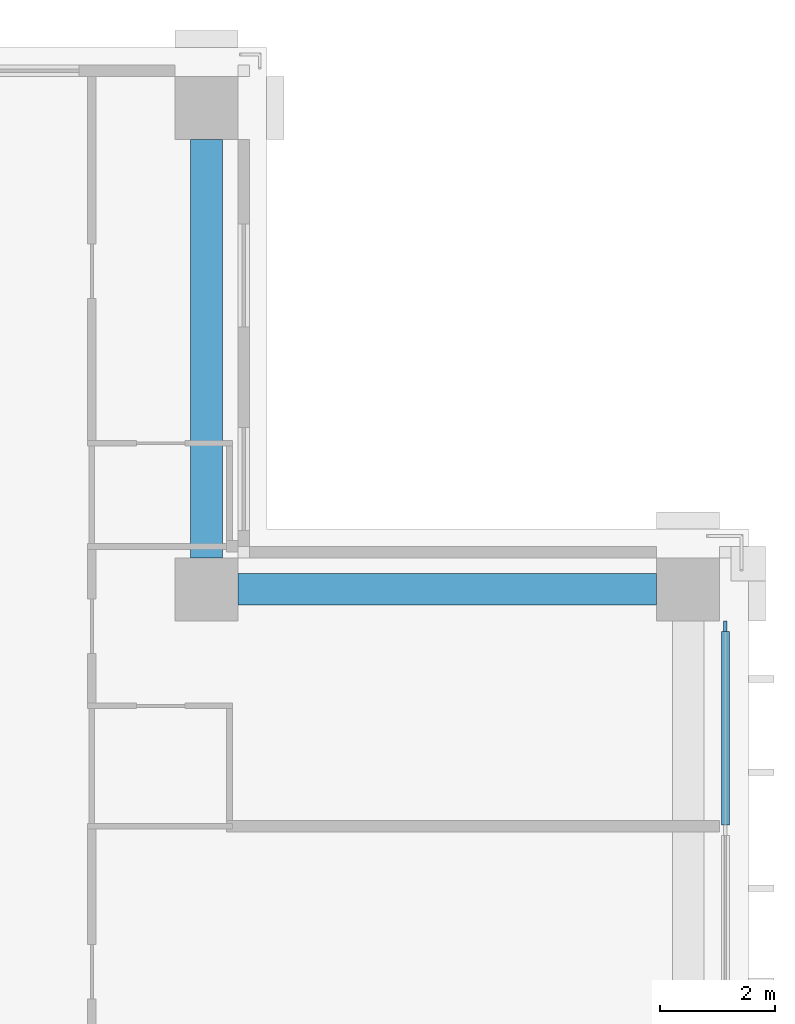
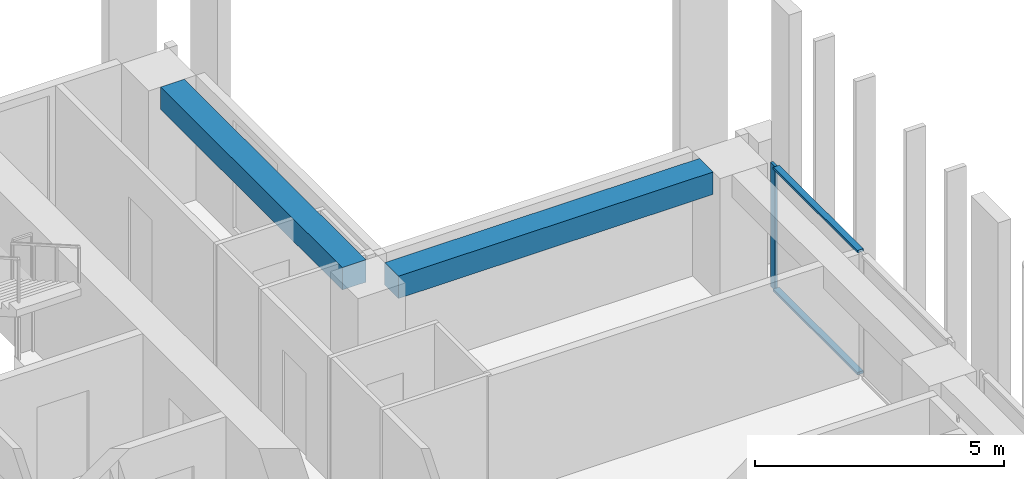
# One storey, part 7 of 16: 3 members, 2 beams, 1 element without a shape of its own.
"""IFC4 building model written with IfcOpenShell, lengths in metres."""

from ifc_helpers import new_model, si_unit, direction, frame, origin, origin_2d, place, context, subcontext, project, spatial, rectangle, extrude, material, material_profile, profile_set, type_object, element, aggregate, save


model = new_model("IFC4")

# Units and contexts
model_context = context("Model", 3, precision=1e-05, world=origin(), true_north=direction((0.0, 1.0)))
body_context = subcontext(model_context, "Body", "Model", "MODEL_VIEW")
ifc_project = project(units=[si_unit("LENGTHUNIT", "METRE"), si_unit("AREAUNIT", "SQUARE_METRE"), si_unit("VOLUMEUNIT", "CUBIC_METRE"), si_unit("PLANEANGLEUNIT", "RADIAN"), si_unit("MASSUNIT", "GRAM", prefix="KILO")], contexts=[model_context])

# Site, building, storey
site_placement = place(None, origin())
site = spatial("IfcSite", under=ifc_project, at=site_placement, CompositionType="ELEMENT")
building_placement = place(site_placement, origin())
building = spatial("IfcBuilding", under=site, at=building_placement, Name="Vermilion Ogive Tower", CompositionType="ELEMENT")
storey_placement = place(building_placement, frame((0.0, 0.0, 143.449951171875)))
storey = spatial("IfcBuildingStorey", under=building, at=storey_placement, Name="L36", CompositionType="ELEMENT", Elevation=143.449951171875)

# Curtain wall, members
ifc_material_1 = material(Name="Low-iron laminated glazing in aluminium frame", Category="aluminium")
curtain_wall_type = type_object("IfcCurtainWallType", Name="Curtain wall CW7", PredefinedType="NOTDEFINED", material=ifc_material_1)
curtain_wall_placement = place(storey_placement, origin())
curtain_wall = element("IfcCurtainWall", 1, at=curtain_wall_placement, inside=storey, type_object=curtain_wall_type, Name="Glazed skin E3", PredefinedType="NOTDEFINED")
ifc_material_2 = material(Name="Aluminium mullion", Category="aluminium")
ifc_material_profile_1 = material_profile(ifc_material_2, rectangle(XDim=0.06005859375, YDim=0.179931640625, at=origin_2d()), Name="AL 60x180")
ifc_profile_set_1 = profile_set([ifc_material_profile_1], Name="Aluminium mullion")
member_type_1 = type_object("IfcMemberType", Name="CW7 mullion 60x180", PredefinedType="MULLION", material=ifc_profile_set_1)
member_1_placement = place(storey_placement, frame((21.64990234375, 11.9599609375, 0.0), z_axis=(0.0, 0.0, 1.0), x_axis=(-1.0, 0.0, 0.0)))
member_1 = element("IfcMember", 2, at=member_1_placement, type_object=member_type_1, Name="CW7-E3 mullion 3", PredefinedType="MULLION", context=body_context, shape_type="SweptSolid", body=[
    extrude(rectangle(XDim=0.06005859375, YDim=0.179931640625, at=origin_2d()), origin(), (0.0, 0.0, 1.0), 3.050048828125),
])
ifc_material_3 = material(Name="Aluminium transom", Category="aluminium")
ifc_material_profile_2 = material_profile(ifc_material_3, rectangle(XDim=0.139892578125, YDim=0.06005859375, at=origin_2d()), Name="AL 60x140")
ifc_profile_set_2 = profile_set([ifc_material_profile_2], Name="Aluminium transom")
member_type_2 = type_object("IfcMemberType", Name="CW7 transom 60x140", PredefinedType="USERDEFINED", material=ifc_profile_set_2)
member_2_placement = place(storey_placement, frame((21.64990234375, 8.489990234375, 0.030029296875), z_axis=(0.0, 1.0, 0.0), x_axis=(-1.0, 0.0, 0.0)))
member_2 = element("IfcMember", 3, at=member_2_placement, type_object=member_type_2, Name="CW7-E3 transom 2.1", ObjectType="TRANSOM", PredefinedType="USERDEFINED", context=body_context, shape_type="SweptSolid", body=[
    extrude(rectangle(XDim=0.139892578125, YDim=0.06005859375, at=origin_2d()), origin(), (0.0, 0.0, 1.0), 3.380126953125),
])
member_3_placement = place(storey_placement, frame((21.64990234375, 8.489990234375, 3.02001953125), z_axis=(0.0, 1.0, 0.0), x_axis=(-1.0, 0.0, 0.0)))
member_3 = element("IfcMember", 4, at=member_3_placement, type_object=member_type_2, Name="CW7-E3 transom 2.2", ObjectType="TRANSOM", PredefinedType="USERDEFINED", context=body_context, shape_type="SweptSolid", body=[
    extrude(rectangle(XDim=0.139892578125, YDim=0.06005859375, at=origin_2d()), origin(), (0.0, 0.0, 1.0), 3.380126953125),
])
aggregate(curtain_wall, [member_1, member_2, member_3])

# Beams
ifc_material_4 = material(Name="Concrete B45", Category="concrete")
ifc_material_profile_3 = material_profile(ifc_material_4, rectangle(XDim=0.550048828125, YDim=0.550048828125, at=origin_2d()), Name="550 x 550")
ifc_profile_set_3 = profile_set([ifc_material_profile_3], Name="Concrete B45")
beam_type = type_object("IfcBeamType", Name="Edge beam 550 x 550 B45", PredefinedType="BEAM", material=ifc_profile_set_3)
for number, where, z_axis, x_axis, name in (
    (5, (20.449951171875, 12.60009765625, 2.775146484375), (-1.0, 0.0, 0.0), (0.0, -1.0, 0.0), "L36-EB-9"),
    (6, (12.60009765625, 13.14990234375, 2.775146484375), (0.0, 1.0, 0.0), (-1.0, 0.0, 0.0), "L36-EB-10"),
):
    element("IfcBeam", number, at=place(storey_placement, frame(where, z_axis=z_axis, x_axis=x_axis)), inside=storey, type_object=beam_type, Name=name, PredefinedType="BEAM", context=body_context, shape_type="SweptSolid", body=[
        extrude(rectangle(XDim=0.550048828125, YDim=0.550048828125, at=origin_2d()), origin(), (0.0, 0.0, 1.0), 7.300048828125),
    ])

save(model, "model.ifc")
